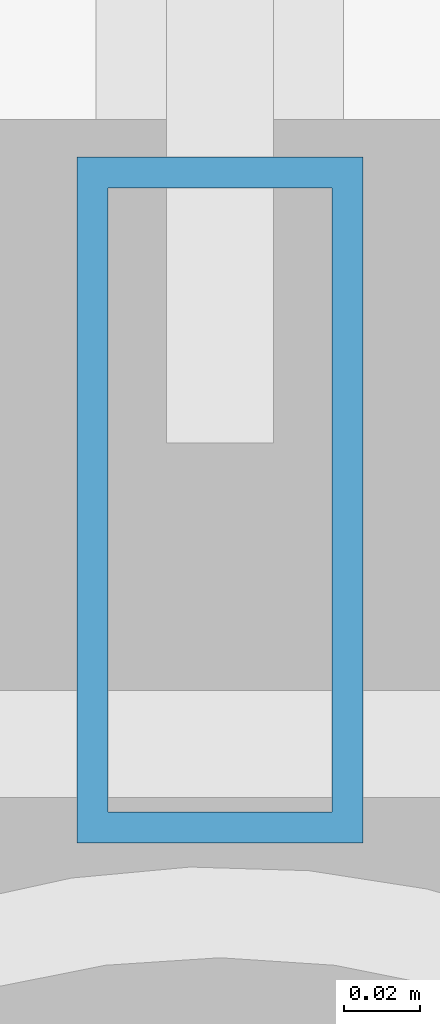
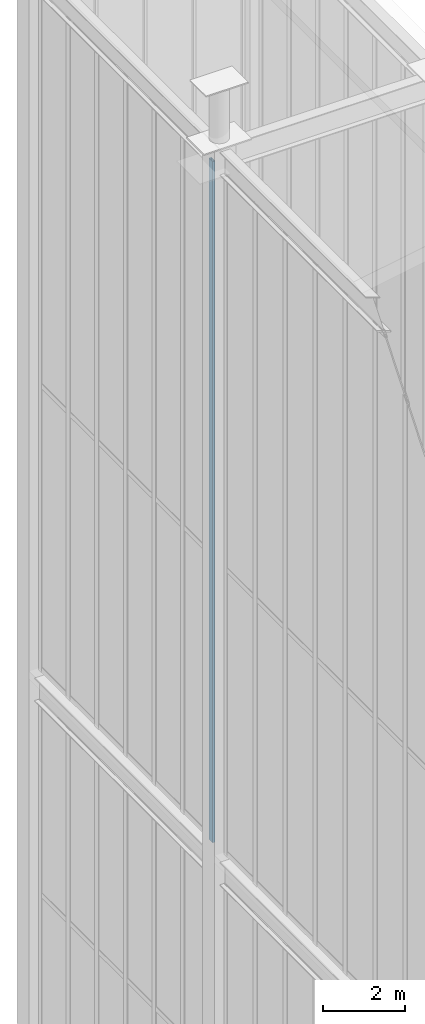
# One storey, part 77 of 135: 1 member, 1 element without a shape of its own.
"""IFC4 building model written with IfcOpenShell, lengths in metres."""

from ifc_helpers import new_model, si_unit, direction, frame, origin, origin_2d, place, context, subcontext, project, spatial, hollow_rectangle, extrude, source, transform, mapped, material, layer, layer_set, material_profile, profile_set, type_object, element, aggregate, save


model = new_model("IFC4")

# Units and contexts
model_context = context("Model", 3, precision=1e-05, world=origin(), true_north=direction((0.0, 1.0)))
body_context = subcontext(model_context, "Body", "Model", "MODEL_VIEW")
ifc_project = project(units=[si_unit("LENGTHUNIT", "METRE"), si_unit("AREAUNIT", "SQUARE_METRE"), si_unit("VOLUMEUNIT", "CUBIC_METRE"), si_unit("PLANEANGLEUNIT", "RADIAN"), si_unit("MASSUNIT", "GRAM", prefix="KILO")], contexts=[model_context])

# Site, building, storey
site_placement = place(None, origin())
site = spatial("IfcSite", under=ifc_project, at=site_placement, CompositionType="ELEMENT")
building_placement = place(site_placement, origin())
building = spatial("IfcBuilding", under=site, at=building_placement, Name="Giltprow Tower", CompositionType="ELEMENT")
storey_placement = place(building_placement, frame((0.0, 0.0, 352.699951171875)))
storey = spatial("IfcBuildingStorey", under=building, at=storey_placement, Name="L92", CompositionType="ELEMENT", Elevation=352.699951171875)

# Curtain wall, member
ifc_material = material(Name="Anodized bronze", Category="metal")
ifc_layer = layer(ifc_material, 0.179931640625, Name="Anodized bronze")
ifc_layer_set = layer_set([ifc_layer], Name="Anodized bronze")
curtain_wall_type = type_object("IfcCurtainWallType", Name="CW-CROWN-LANTERN", PredefinedType="NOTDEFINED", material=ifc_layer_set)
curtain_wall_placement = place(storey_placement, origin())
curtain_wall = element("IfcCurtainWall", 1, at=curtain_wall_placement, inside=storey, type_object=curtain_wall_type, Name="Crown East Upper Lantern Glazing 5", PredefinedType="NOTDEFINED")
ifc_material_profile = material_profile(ifc_material, hollow_rectangle(XDim=0.074951171875, YDim=0.179931640625, WallThickness=0.008056640625, at=origin_2d()), Name="RHS 180x75x8")
ifc_profile_set = profile_set([ifc_material_profile], Name="Anodized bronze")
member_type = type_object("IfcMemberType", Name="CW-MULLION-180x75", PredefinedType="MULLION", material=ifc_profile_set)
shared_shape = source(origin(), body_context, "Body", "SweptSolid", [
    extrude(hollow_rectangle(XDim=0.074951171875, YDim=0.179931640625, WallThickness=0.008056640625, at=origin_2d()), origin(), (0.0, 0.0, 1.0), 20.406005859375),
])
member_placement = place(storey_placement, frame((44.300048828125, 37.800048828125, 17.25), z_axis=(0.0, 0.0, 1.0), x_axis=(1.0, 0.0, 0.0)))
member = element("IfcMember", 2, at=member_placement, type_object=member_type, Name="Crown East Upper Lantern Glazing 5 Mullion 7", PredefinedType="MULLION", context=body_context, shape_type="MappedRepresentation", body=[
    mapped(shared_shape, transform((0.0, 0.0, 0.0), x_axis=(1.0, 0.0, 0.0), y_axis=(0.0, 1.0, 0.0), z_axis=(0.0, 0.0, 1.0), scale=1.0)),
])
aggregate(curtain_wall, [member])

save(model, "model.ifc")
